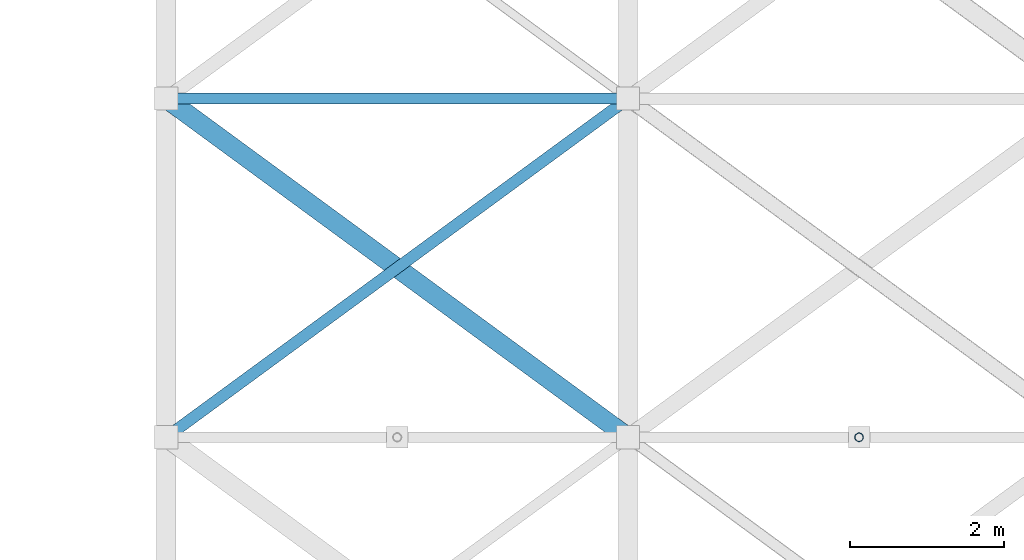
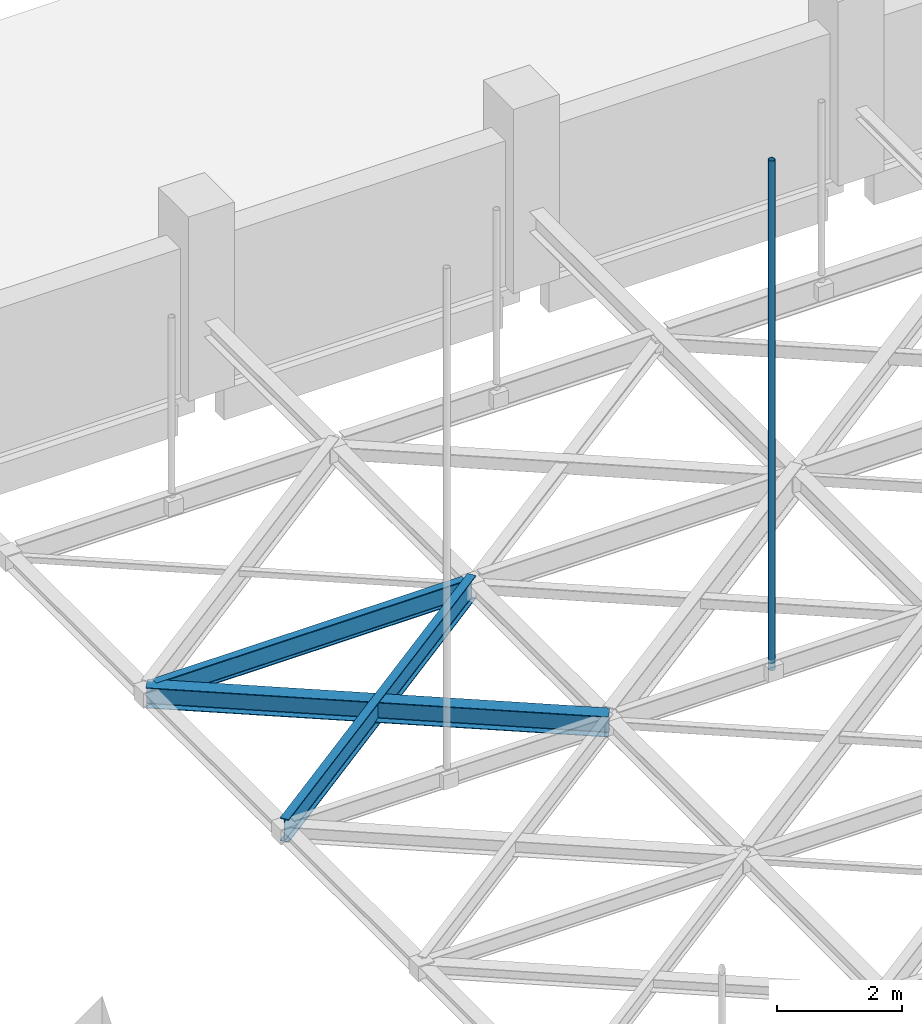
# One storey, part 29 of 93: 3 members, 1 beam.
"""IFC4 building model written with IfcOpenShell, lengths in metres."""

from ifc_helpers import new_model, si_unit, direction, frame, origin, origin_2d, place, context, subcontext, project, spatial, hollow_circle, i_section, extrude, material, material_profile, profile_set, type_object, element, save


model = new_model("IFC4")

# Units and contexts
model_context = context("Model", 3, precision=1e-05, world=origin(), true_north=direction((0.0, 1.0)))
body_context = subcontext(model_context, "Body", "Model", "MODEL_VIEW")
ifc_project = project(units=[si_unit("LENGTHUNIT", "METRE"), si_unit("AREAUNIT", "SQUARE_METRE"), si_unit("VOLUMEUNIT", "CUBIC_METRE"), si_unit("PLANEANGLEUNIT", "RADIAN"), si_unit("MASSUNIT", "GRAM", prefix="KILO")], contexts=[model_context])

# Site, building, storey
site_placement = place(None, origin())
site = spatial("IfcSite", under=ifc_project, at=site_placement, CompositionType="ELEMENT")
building_placement = place(site_placement, origin())
building = spatial("IfcBuilding", under=site, at=building_placement, Name="Varnakota Cinema and Media Centre", CompositionType="ELEMENT")
storey_placement = place(building_placement, frame((0.0, 0.0, 12.0)))
storey = spatial("IfcBuildingStorey", under=building, at=storey_placement, Name="L03", CompositionType="ELEMENT", Elevation=12.0)

# Beam
ifc_material_1 = material(Name="Structural steel Grade 350 (E350)", Category="steel")
ifc_material_profile_1 = material_profile(ifc_material_1, i_section(OverallWidth=0.139892578125, OverallDepth=0.39990234375, WebThickness=0.0087890625, FlangeThickness=0.01611328125, FilletRadius=0.013916015625, at=origin_2d()), Name="ISMB 400")
ifc_profile_set_1 = profile_set([ifc_material_profile_1], Name="Structural steel Grade 350 (E350)")
beam_type = type_object("IfcBeamType", Name="BM-ST-ISMB400", PredefinedType="JOIST", material=ifc_profile_set_1)
beam_placement = place(storey_placement, frame((81.139892578125, 26.39990234375, 1.300048828125), z_axis=(1.0, 0.0, 0.0), x_axis=(0.0, 1.0, 0.0)))
element("IfcBeam", 1, at=beam_placement, inside=storey, type_object=beam_type, Name="V1 rigging beam 2.6", PredefinedType="JOIST", context=body_context, shape_type="SweptSolid", body=[
    extrude(i_section(OverallWidth=0.139892578125, OverallDepth=0.39990234375, WebThickness=0.0087890625, FlangeThickness=0.01611328125, FilletRadius=0.013916015625, at=origin_2d()), origin(), (0.0, 0.0, 1.0), 5.72021484375),
])

# Members
ifc_material_2 = material(Name="Structural steel S355 (YSt 355)", Category="steel")
ifc_material_profile_2 = material_profile(ifc_material_2, hollow_circle(Radius=0.05712890625, WallThickness=0.00537109375, at=origin_2d()), Name="CHS 114.3x5.4")
ifc_profile_set_2 = profile_set([ifc_material_profile_2], Name="Structural steel S355 (YSt 355)")
member_type_1 = type_object("IfcMemberType", Name="MEM-ST-CHS114_3x5_4", PredefinedType="BRACE", material=ifc_profile_set_2)
member_1_placement = place(storey_placement, frame((90.0, 22.0, 1.300048828125), z_axis=(0.0, 0.0, 1.0), x_axis=(1.0, 0.0, 0.0)))
element("IfcMember", 2, at=member_1_placement, inside=storey, type_object=member_type_1, Name="V1 rigging hanger 3.3", PredefinedType="BRACE", context=body_context, shape_type="SweptSolid", body=[
    extrude(hollow_circle(Radius=0.05712890625, WallThickness=0.00537109375, at=origin_2d()), origin(), (0.0, 0.0, 1.0), 9.949951171875),
])
ifc_material_3 = material(Name="Structural steel Grade 350 (E350)", Category="steel")
ifc_material_profile_3 = material_profile(ifc_material_3, i_section(OverallWidth=0.25, OverallDepth=0.39990234375, WebThickness=0.010498046875, FlangeThickness=0.0126953125, FilletRadius=0.011962890625, at=origin_2d()), Name="ISHB 400")
ifc_profile_set_3 = profile_set([ifc_material_profile_3], Name="Structural steel Grade 350 (E350)")
member_type_2 = type_object("IfcMemberType", Name="MEM-ST-ISHB400", PredefinedType="CHORD", material=ifc_profile_set_3)
member_2_placement = place(storey_placement, frame((87.0, 22.0, 1.300048828125), z_axis=(-0.80641125493, 0.591355128432, 0.0), x_axis=(-0.591355128432, -0.80641125493, 0.0)))
element("IfcMember", 3, at=member_2_placement, inside=storey, type_object=member_type_2, Name="V1 rigging plan member B 2.5", PredefinedType="CHORD", context=body_context, shape_type="SweptSolid", body=[
    extrude(i_section(OverallWidth=0.25, OverallDepth=0.39990234375, WebThickness=0.010498046875, FlangeThickness=0.0126953125, FilletRadius=0.011962890625, at=origin_2d()), origin(), (0.0, 0.0, 1.0), 7.4404296875),
])
ifc_material_4 = material(Name="Structural steel Grade 350 (E350)", Category="steel")
ifc_material_profile_4 = material_profile(ifc_material_4, i_section(OverallWidth=0.14990234375, OverallDepth=0.449951171875, WebThickness=0.009521484375, FlangeThickness=0.017333984375, FilletRadius=0.014892578125, at=origin_2d()), Name="ISMB 450")
ifc_profile_set_4 = profile_set([ifc_material_profile_4], Name="Structural steel Grade 350 (E350)")
member_type_3 = type_object("IfcMemberType", Name="MEM-ST-ISMB450", PredefinedType="RAFTER", material=ifc_profile_set_4)
member_3_placement = place(storey_placement, frame((81.0, 22.0, 1.300048828125), z_axis=(0.80641125493, 0.591355128432, 0.0), x_axis=(-0.591355128432, 0.80641125493, 0.0)))
element("IfcMember", 4, at=member_3_placement, inside=storey, type_object=member_type_3, Name="V1 rigging plan member A 2.5", PredefinedType="RAFTER", context=body_context, shape_type="SweptSolid", body=[
    extrude(i_section(OverallWidth=0.14990234375, OverallDepth=0.449951171875, WebThickness=0.009521484375, FlangeThickness=0.017333984375, FilletRadius=0.014892578125, at=origin_2d()), origin(), (0.0, 0.0, 1.0), 7.4404296875),
])

save(model, "model.ifc")
